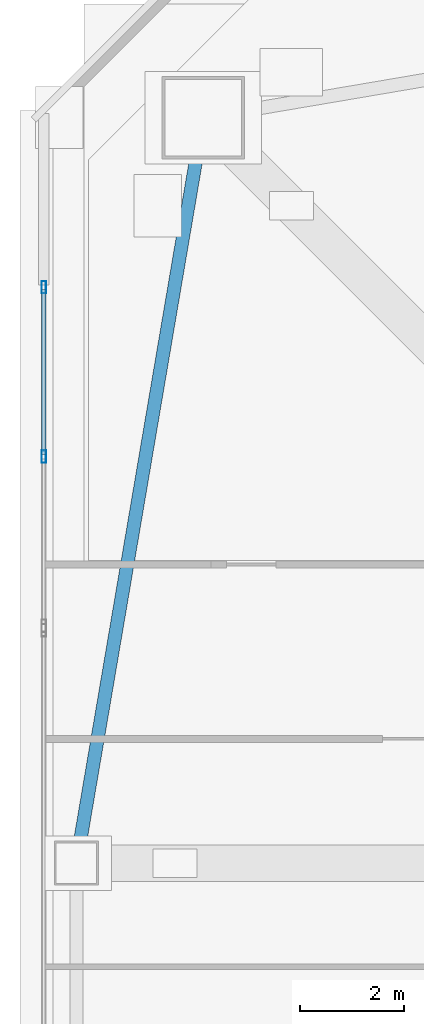
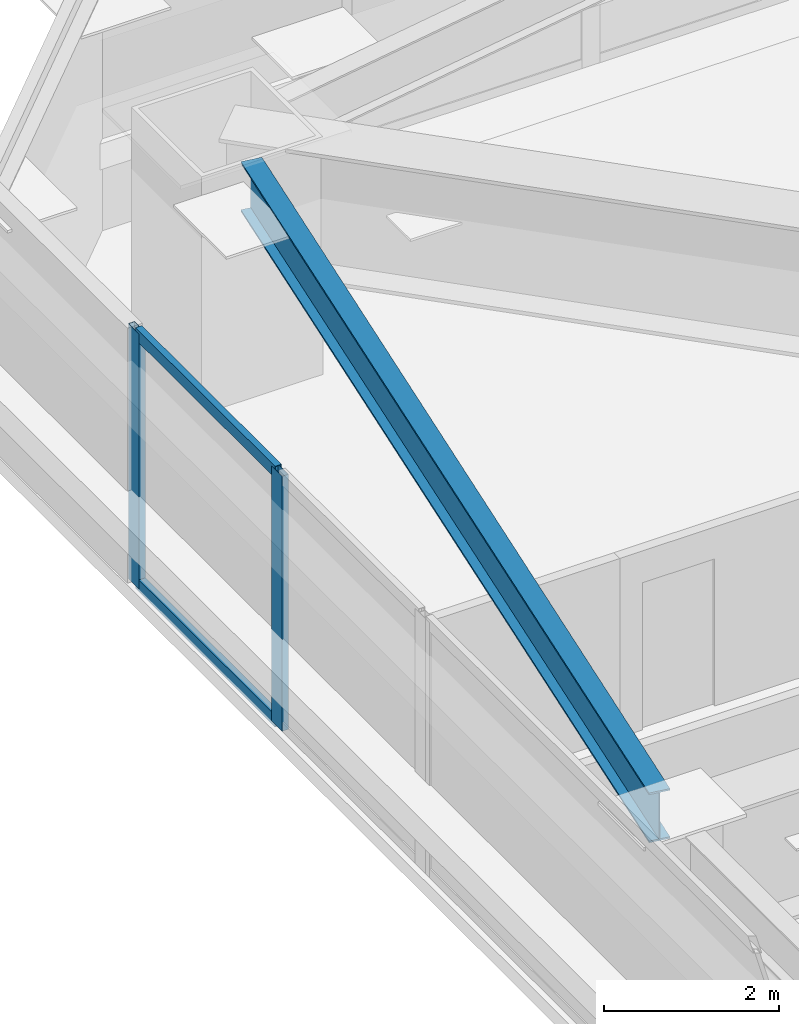
# One storey, part 13 of 48: 4 members, 1 beam, 1 element without a shape of its own.
"""IFC4 building model written with IfcOpenShell, lengths in metres."""

import ifcopenshell
import ifcopenshell.guid

model = None  # the IFC model being written
_history = None  # IfcOwnerHistory: only IFC2X3 demands one
_inside = {}  # id of a spatial element -> (the spatial element, [elements in it])
_under = {}  # id of a project, library or spatial element -> (it, [spatial elements below it])
_declared = {}  # id of a project -> (the project, [libraries it declares])
_typed = {}  # id of a type object -> (the type object, [elements of that type])
_made_of = {}  # id of a material, layer set ... -> (it, [elements and type objects made of it])


def new_model(schema):
    """Start an empty IFC model of exactly this schema.

    Asked for "IFC4X3", IfcOpenShell would pick the latest addendum, in which some entities
    have other attributes; the version numbers below select the first issue.
    IFC2X3 requires an IfcOwnerHistory on every rooted entity: one is made here for all.
    """
    global model, _history
    if schema == "IFC4X3":
        model = ifcopenshell.file(schema_version=(4, 3, 0, 0))
    else:
        model = ifcopenshell.file(schema=schema)
    _inside.clear()
    _under.clear()
    _declared.clear()
    _typed.clear()
    _made_of.clear()
    _history = None
    if model.schema == "IFC2X3":
        org = make("IfcOrganization", Name="unknown")
        user = make(
            "IfcPersonAndOrganization",
            ThePerson=make("IfcPerson", FamilyName="unknown"),
            TheOrganization=org,
        )
        app = make(
            "IfcApplication",
            ApplicationDeveloper=org,
            Version="unknown",
            ApplicationFullName="unknown",
            ApplicationIdentifier="unknown",
        )
        _history = make(
            "IfcOwnerHistory",
            OwningUser=user,
            OwningApplication=app,
            ChangeAction="ADDED",
            CreationDate=0,
        )
    return model


def make(cls, **values):
    """One entity of the class cls with the attributes given. An attribute that is None is left unset."""
    return model.create_entity(
        cls, **{name: value for name, value in values.items() if value is not None}
    )


def rooted(cls, **values):
    """An entity with a GlobalId (a new one), such as an element, a storey or a relation."""
    return make(cls, GlobalId=ifcopenshell.guid.new(), OwnerHistory=_history, **values)


def si_unit(unit_type, name, prefix=None):
    """IfcSIUnit, for example si_unit("LENGTHUNIT", "METRE", prefix="MILLI")."""
    return make("IfcSIUnit", UnitType=unit_type, Prefix=prefix, Name=name)


def assignment(units):
    """IfcUnitAssignment: the units of a project."""
    return None if units is None else make("IfcUnitAssignment", Units=units)


def point(xyz):
    """IfcCartesianPoint."""
    return None if xyz is None else make("IfcCartesianPoint", Coordinates=xyz)


def direction(xyz):
    """IfcDirection."""
    return None if xyz is None else make("IfcDirection", DirectionRatios=xyz)


def frame(location, z_axis=None, x_axis=None):
    """IfcAxis2Placement3D, a coordinate frame: its origin and axes. An axis left out is left unset."""
    return make(
        "IfcAxis2Placement3D",
        Location=point(location),
        Axis=direction(z_axis),
        RefDirection=direction(x_axis),
    )


def frame_2d(location, x_axis=None):
    """IfcAxis2Placement2D, a coordinate frame in the plane: its origin and x axis."""
    return make(
        "IfcAxis2Placement2D", Location=point(location), RefDirection=direction(x_axis)
    )


def origin():
    """The frame at (0, 0, 0) with its axes left unset."""
    return frame((0.0, 0.0, 0.0))


def origin_2d():
    """The frame at (0, 0) in the plane with its x axis left unset."""
    return frame_2d((0.0, 0.0))


def place(relative_to, where):
    """IfcLocalPlacement: puts the frame where relative to a parent placement (None: the world)."""
    return make(
        "IfcLocalPlacement", PlacementRelTo=relative_to, RelativePlacement=where
    )


def context(
    kind, dimensions, precision=None, world=None, true_north=None, identifier=None
):
    """IfcGeometricRepresentationContext, for example the 3D "Model" context."""
    return make(
        "IfcGeometricRepresentationContext",
        ContextIdentifier=identifier,
        ContextType=kind,
        CoordinateSpaceDimension=dimensions,
        Precision=precision,
        WorldCoordinateSystem=world,
        TrueNorth=true_north,
    )


def subcontext(parent, identifier, kind, view, scale=None):
    """IfcGeometricRepresentationSubContext, for example "Body" below "Model"."""
    return make(
        "IfcGeometricRepresentationSubContext",
        ContextIdentifier=identifier,
        ContextType=kind,
        ParentContext=parent,
        TargetScale=scale,
        TargetView=view,
    )


def project(units=None, contexts=None):
    """IfcProject with its units and contexts."""
    return rooted(
        "IfcProject",
        Name="project",
        RepresentationContexts=contexts,
        UnitsInContext=assignment(units),
    )


def spatial(cls, under=None, at=None, **own):
    """A site, building, storey or space (cls), placed at a placement, below another one or the project."""
    s = rooted(cls, ObjectPlacement=at, **own)
    if under is not None:
        _under.setdefault(under.id(), (under, []))[1].append(s)
    return s


def profile(cls, at=None, kind="AREA", **sizes):
    """A parametric profile (cls). Its sizes go by their IFC names, for example OverallWidth=200.0."""
    return make(cls, ProfileType=kind, Position=at, **sizes)


def hollow_rectangle(**sizes):
    """IfcRectangleHollowProfileDef."""
    return profile("IfcRectangleHollowProfileDef", **sizes)


def i_section(**sizes):
    """IfcIShapeProfileDef."""
    return profile("IfcIShapeProfileDef", **sizes)


def extrude(swept, where, along, depth):
    """IfcExtrudedAreaSolid: the profile swept, set in the frame where, extruded along a direction by depth."""
    return make(
        "IfcExtrudedAreaSolid",
        SweptArea=swept,
        Position=where,
        ExtrudedDirection=direction(along),
        Depth=depth,
    )


def shape(context_of_items, identifier, shape_type, items):
    """IfcShapeRepresentation: the items that make up one representation, for example the "Body"."""
    return make(
        "IfcShapeRepresentation",
        ContextOfItems=context_of_items,
        RepresentationIdentifier=identifier,
        RepresentationType=shape_type,
        Items=items,
    )


def material(Name=None, Category=None):
    """IfcMaterial."""
    return make("IfcMaterial", Name=Name, Category=Category)


def material_profile(
    of_material, cross_section, Name=None, Category=None, Priority=None
):
    """IfcMaterialProfile: a cross section and its material."""
    return make(
        "IfcMaterialProfile",
        Name=Name,
        Material=of_material,
        Profile=cross_section,
        Priority=Priority,
        Category=Category,
    )


def profile_set(profiles, Name=None, composite=None):
    """IfcMaterialProfileSet."""
    return make(
        "IfcMaterialProfileSet",
        Name=Name,
        MaterialProfiles=profiles,
        CompositeProfile=composite,
    )


def made_of(thing, what):
    """Note that an element or type object is made of a material, layer set ...; save() writes the relation."""
    if what is not None:
        _made_of.setdefault(what.id(), (what, []))[1].append(thing)
    return thing


def type_object(cls, material=None, **own):
    """A type object (cls), such as IfcWallType, which elements share."""
    return made_of(rooted(cls, **own), material)


def element(
    cls,
    number,
    at=None,
    inside=None,
    cuts=None,
    type_object=None,
    material=None,
    context=None,
    identifier="Body",
    shape_type=None,
    held_by="IfcProductDefinitionShape",
    body=None,
    shapes=None,
    **own,
):
    """One element of the class cls, such as IfcWall. Its Tag is "e" and its number.

    at: its placement. inside: the storey or other place that contains it. cuts: it is an
    opening in that element (IfcRelVoidsElement). A single representation is given by context,
    identifier, shape_type and body (its items); several are given by shapes. held_by: the class
    of the entity that holds the representations. save() writes the other relations.
    """
    e = rooted(cls, Tag="e%d" % number, ObjectPlacement=at, **own)
    if body is not None:
        shapes = [shape(context, identifier, shape_type, body)]
    if shapes is not None:
        e.Representation = make(held_by, Representations=shapes)
    if inside is not None:
        _inside.setdefault(inside.id(), (inside, []))[1].append(e)
    if cuts is not None:
        rooted(
            "IfcRelVoidsElement", RelatingBuildingElement=cuts, RelatedOpeningElement=e
        )
    if type_object is not None:
        _typed.setdefault(type_object.id(), (type_object, []))[1].append(e)
    return made_of(e, material)


def aggregate(whole, parts):
    """IfcRelAggregates: a whole, such as a stair, and the parts it consists of."""
    return rooted("IfcRelAggregates", RelatingObject=whole, RelatedObjects=parts)


def save(model, path):
    """Write the relations noted so far, then the file.

    IfcRelAggregates (storeys below a building ...), IfcRelContainedInSpatialStructure (elements
    in a storey), IfcRelDefinesByType, IfcRelAssociatesMaterial and IfcRelDeclares: one each for
    every whole, place, type object, material and project.
    """
    for whole, parts in _under.values():
        aggregate(whole, parts)
    for where, things in _inside.values():
        rooted(
            "IfcRelContainedInSpatialStructure",
            RelatedElements=things,
            RelatingStructure=where,
        )
    for kind, things in _typed.values():
        rooted("IfcRelDefinesByType", RelatedObjects=things, RelatingType=kind)
    for what, things in _made_of.values():
        rooted("IfcRelAssociatesMaterial", RelatedObjects=things, RelatingMaterial=what)
    for by, libraries in _declared.values():
        rooted("IfcRelDeclares", RelatingContext=by, RelatedDefinitions=libraries)
    model.write(path)


model = new_model("IFC4")

# Units and contexts
model_context = context("Model", 3, precision=1e-05, world=origin(), true_north=direction((0.0, 1.0)))
body_context = subcontext(model_context, "Body", "Model", "MODEL_VIEW")
ifc_project = project(units=[si_unit("LENGTHUNIT", "METRE"), si_unit("AREAUNIT", "SQUARE_METRE"), si_unit("VOLUMEUNIT", "CUBIC_METRE"), si_unit("PLANEANGLEUNIT", "RADIAN"), si_unit("MASSUNIT", "GRAM", prefix="KILO")], contexts=[model_context])

# Site, building, storey
site_placement = place(None, origin())
site = spatial("IfcSite", under=ifc_project, at=site_placement, CompositionType="ELEMENT")
building_placement = place(site_placement, origin())
building = spatial("IfcBuilding", under=site, at=building_placement, Name="Tashvorn Skyway Center", CompositionType="ELEMENT")
storey_placement = place(building_placement, frame((0.0, 0.0, 63.64990234375)))
storey = spatial("IfcBuildingStorey", under=building, at=storey_placement, Name="L16", CompositionType="ELEMENT", Elevation=63.64990234375)

# Beam
ifc_material_1 = material(Name="Steel ASTM A992 Grade 50", Category="steel")
ifc_material_profile_1 = material_profile(ifc_material_1, i_section(OverallWidth=0.256103515625, OverallDepth=0.693115234375, WebThickness=0.014404296875, FlangeThickness=0.023681640625, at=origin_2d()), Name="W27X114")
ifc_profile_set_1 = profile_set([ifc_material_profile_1], Name="Steel ASTM A992 Grade 50")
beam_type = type_object("IfcBeamType", Name="BM-SPANDREL-W27X114", PredefinedType="SPANDREL", material=ifc_profile_set_1)
beam_placement = place(storey_placement, frame((22.066650390625, 51.016357421875, 3.003662109375), z_axis=(-0.16771792509, -0.985835025551, 0.0), x_axis=(0.985835025551, -0.16771792509, 0.0)))
element("IfcBeam", 1, at=beam_placement, inside=storey, type_object=beam_type, Name="Tower 1 L16 Spandrel Beam 10", PredefinedType="SPANDREL", context=body_context, shape_type="SweptSolid", body=[
    extrude(i_section(OverallWidth=0.256103515625, OverallDepth=0.693115234375, WebThickness=0.014404296875, FlangeThickness=0.023681640625, at=origin_2d()), origin(), (0.0, 0.0, 1.0), 13.39208984375),
])

# Curtain wall, members
ifc_material_2 = material(Name="Thermally broken bronze-anodized aluminium 6063-T6", Category="aluminium")
curtain_wall_type = type_object("IfcCurtainWallType", Name="CW-CW-Z1", PredefinedType="NOTDEFINED", material=ifc_material_2)
curtain_wall_placement = place(storey_placement, origin())
curtain_wall = element("IfcCurtainWall", 2, at=curtain_wall_placement, inside=storey, type_object=curtain_wall_type, Name="Tower 1 L16 West Unitised Curtain Wall Glazing Group 3", PredefinedType="NOTDEFINED")
ifc_material_profile_2 = material_profile(ifc_material_2, hollow_rectangle(XDim=0.0849609375, YDim=0.239990234375, WallThickness=0.0048828125, at=origin_2d()), Name="ALU-MULL-85x240")
ifc_profile_set_2 = profile_set([ifc_material_profile_2], Name="Thermally broken bronze-anodized aluminium 6063-T6")
member_type_1 = type_object("IfcMemberType", Name="CWM-CW-Z1", PredefinedType="MULLION", material=ifc_profile_set_2)
member_1_placement = place(storey_placement, frame((19.1201171875, 45.25341796875, 0.0), z_axis=(0.0, 0.0, 1.0), x_axis=(-1.0, 0.0, 0.0)))
member_1 = element("IfcMember", 3, at=member_1_placement, type_object=member_type_1, Name="CW-Z1 mullion 2", PredefinedType="MULLION", context=body_context, shape_type="SweptSolid", body=[
    extrude(hollow_rectangle(XDim=0.0849609375, YDim=0.239990234375, WallThickness=0.0048828125, at=origin_2d()), origin(), (0.0, 0.0, 1.0), 3.550048828125),
])
member_2_placement = place(storey_placement, frame((19.1201171875, 48.524169921875, 0.0), z_axis=(0.0, 0.0, 1.0), x_axis=(-1.0, 0.0, 0.0)))
member_2 = element("IfcMember", 4, at=member_2_placement, type_object=member_type_1, Name="CW-Z1 mullion 3", PredefinedType="MULLION", context=body_context, shape_type="SweptSolid", body=[
    extrude(hollow_rectangle(XDim=0.0849609375, YDim=0.239990234375, WallThickness=0.0048828125, at=origin_2d()), origin(), (0.0, 0.0, 1.0), 3.550048828125),
])
ifc_material_profile_3 = material_profile(ifc_material_2, hollow_rectangle(XDim=0.0849609375, YDim=0.1650390625, WallThickness=0.0048828125, at=origin_2d()), Name="ALU-TRAN-85x165")
ifc_profile_set_3 = profile_set([ifc_material_profile_3], Name="Thermally broken bronze-anodized aluminium 6063-T6")
member_type_2 = type_object("IfcMemberType", Name="CWT-CW-Z1", PredefinedType="USERDEFINED", material=ifc_profile_set_3)
member_3_placement = place(storey_placement, frame((19.1201171875, 45.2958984375, 0.04248046875), z_axis=(0.0, 1.0, 0.0), x_axis=(-1.0, 0.0, 0.0)))
member_3 = element("IfcMember", 5, at=member_3_placement, type_object=member_type_2, Name="CW-Z1 transom 2.1", ObjectType="TRANSOM", PredefinedType="USERDEFINED", context=body_context, shape_type="SweptSolid", body=[
    extrude(hollow_rectangle(XDim=0.0849609375, YDim=0.1650390625, WallThickness=0.0048828125, at=origin_2d()), origin(), (0.0, 0.0, 1.0), 3.185791015625),
])
member_4_placement = place(storey_placement, frame((19.1201171875, 45.2958984375, 3.507568359375), z_axis=(0.0, 1.0, 0.0), x_axis=(-1.0, 0.0, 0.0)))
member_4 = element("IfcMember", 6, at=member_4_placement, type_object=member_type_2, Name="CW-Z1 transom 2.2", ObjectType="TRANSOM", PredefinedType="USERDEFINED", context=body_context, shape_type="SweptSolid", body=[
    extrude(hollow_rectangle(XDim=0.0849609375, YDim=0.1650390625, WallThickness=0.0048828125, at=origin_2d()), origin(), (0.0, 0.0, 1.0), 3.185791015625),
])
aggregate(curtain_wall, [member_1, member_2, member_3, member_4])

save(model, "model.ifc")
